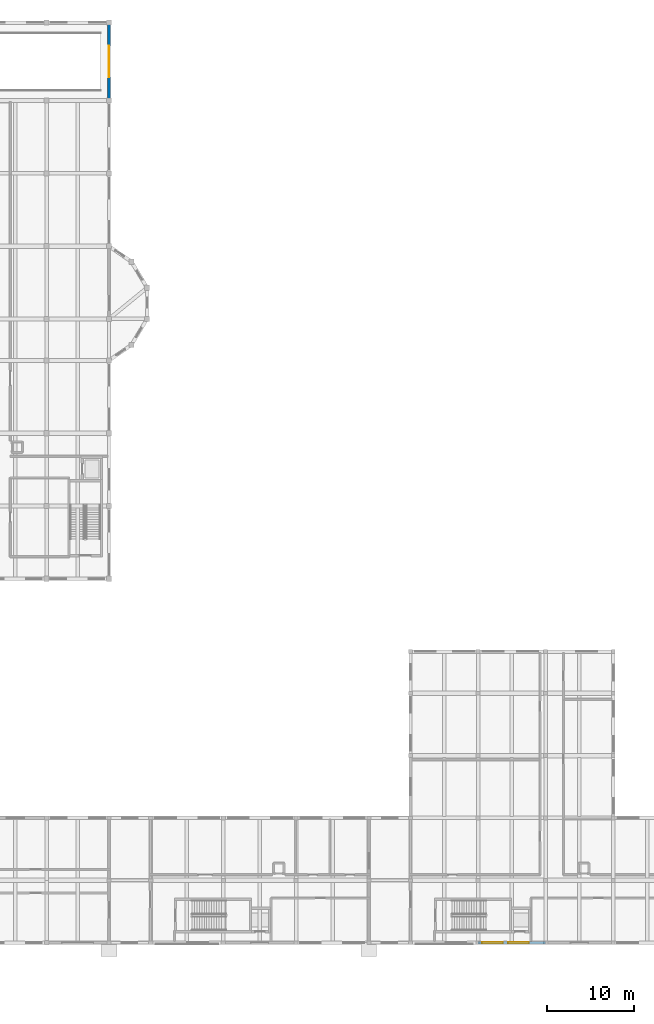
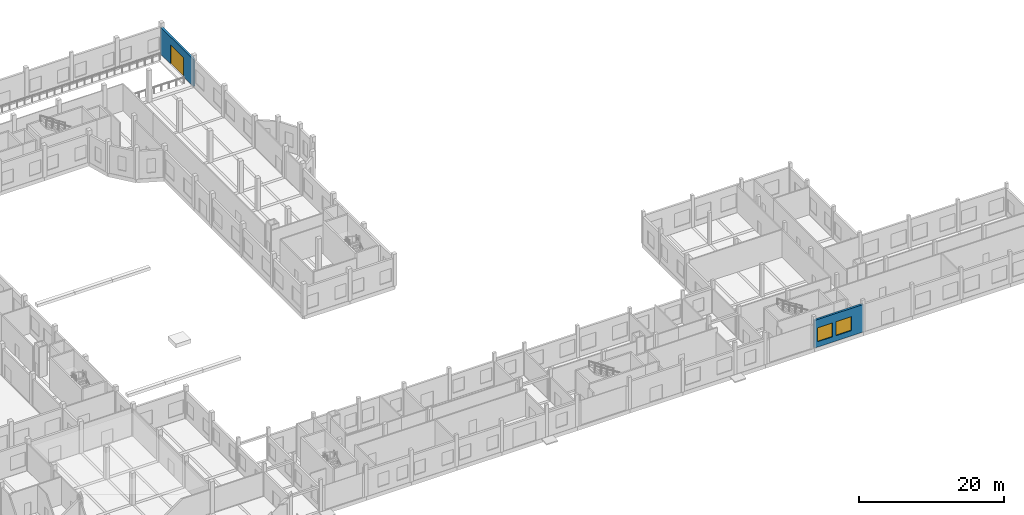
# One storey, part 26 of 41: 2 walls, 2 windows, 1 door, 3 openings.
"""IFC4 building model written with IfcOpenShell, lengths in metres."""

from ifc_helpers import new_model, si_unit, direction, frame, frame_2d, origin, place, context, subcontext, project, spatial, rectangle, extrude, material, layer, layer_set, type_object, element, fill, save


model = new_model("IFC4")

# Units and contexts
model_context = context("Model", 3, precision=1e-05, world=origin(), true_north=direction((0.0, 1.0)))
body_context = subcontext(model_context, "Body", "Model", "MODEL_VIEW")
ifc_project = project(units=[si_unit("LENGTHUNIT", "METRE"), si_unit("AREAUNIT", "SQUARE_METRE"), si_unit("VOLUMEUNIT", "CUBIC_METRE"), si_unit("PLANEANGLEUNIT", "RADIAN"), si_unit("MASSUNIT", "GRAM", prefix="KILO")], contexts=[model_context])

# Site, building, storey
site_placement = place(None, origin())
site = spatial("IfcSite", under=ifc_project, at=site_placement, CompositionType="ELEMENT")
building_placement = place(site_placement, origin())
building = spatial("IfcBuilding", under=site, at=building_placement, Name="Kahlenmark Community Centre", CompositionType="ELEMENT")
storey_placement = place(building_placement, origin())
storey = spatial("IfcBuildingStorey", under=building, at=storey_placement, Name="L00", CompositionType="ELEMENT", Elevation=0.0)

# Wall, opening, door
ifc_material_1 = material(Name="Danube limestone masonry", Category="masonry")
ifc_layer = layer(ifc_material_1, 0.320068359375)
ifc_layer_set = layer_set([ifc_layer], Name="Danube limestone masonry")
wall_type = type_object("IfcWallType", Name="WT-EW-320", PredefinedType="SOLIDWALL", material=ifc_layer_set)
wall_1_placement = place(storey_placement, frame((86.800048828125, 106.0, 0.0), z_axis=(0.0, 0.0, 1.0), x_axis=(0.0, 1.0, 0.0)))
wall_1 = element("IfcWall", 1, at=wall_1_placement, inside=storey, type_object=wall_type, Name="Exterior wall WL-EXT-L00-0201", PredefinedType="SOLIDWALL", context=body_context, shape_type="SweptSolid", body=[
    extrude(rectangle(XDim=9.0, YDim=0.320068359375, at=frame_2d((4.5, 0.0))), origin(), (0.0, 0.0, 1.0), 4.5400390625),
])
opening_1_placement = place(wall_1_placement, frame((2.699951171875, 0.0, -0.010009765625)))
opening_1 = element("IfcOpeningElement", 2, at=opening_1_placement, cuts=wall_1, Name="Opening D-VR01", PredefinedType="OPENING", context=body_context, shape_type="SweptSolid", body=[
    extrude(rectangle(XDim=3.60009765625, YDim=3.2099609375, at=frame_2d((1.800048828125, 1.60498046875))), frame((0.0, 0.169921875, 0.0), z_axis=(0.0, -1.0, 0.0), x_axis=(1.0, 0.0, 0.0)), (0.0, 0.0, 1.0), 0.340087890625),
])
ifc_material_2 = material(Name="Insulated motorised sectional shutter gate")
door_type = type_object("IfcDoorType", Name="DT-GATE-360X320", OperationType="NOTDEFINED", PredefinedType="GATE", material=ifc_material_2)
door_placement = place(opening_1_placement, frame((0.0, 0.0, 0.010009765625)))
door = element("IfcDoor", 3, at=door_placement, inside=storey, type_object=door_type, Name="Exterior door D-VR01", OperationType="ROLLINGUP", OverallHeight=3.199951171875, OverallWidth=3.60009765625, PredefinedType="GATE", context=body_context, shape_type="SweptSolid", body=[
    extrude(rectangle(XDim=3.60009765625, YDim=3.199951171875, at=frame_2d((1.800048828125, 1.60009765625))), frame((0.0, 0.02490234375, 0.0), z_axis=(0.0, -1.0, 0.0), x_axis=(1.0, 0.0, 0.0)), (0.0, 0.0, 1.0), 0.050048828125),
])
fill(opening_1, door)

# Wall, openings, windows
wall_2_placement = place(storey_placement, frame((129.39990234375, 8.800048828125, 0.0), z_axis=(0.0, 0.0, 1.0), x_axis=(1.0, 0.0, 0.0)))
wall_2 = element("IfcWall", 4, at=wall_2_placement, inside=storey, type_object=wall_type, Name="Exterior wall WL-EXT-L00-0220", PredefinedType="SOLIDWALL", context=body_context, shape_type="SweptSolid", body=[
    extrude(rectangle(XDim=7.800048828125, YDim=0.320068359375, at=frame_2d((3.89990234375, 0.0))), origin(), (0.0, 0.0, 1.0), 4.639892578125),
])
opening_2_placement = place(wall_2_placement, frame((0.4599609375, 0.0, 0.89990234375)))
opening_2 = element("IfcOpeningElement", 5, at=opening_2_placement, cuts=wall_2, Name="Opening W-240X235", PredefinedType="OPENING", context=body_context, shape_type="SweptSolid", body=[
    extrude(rectangle(XDim=2.39990234375, YDim=2.35009765625, at=frame_2d((1.199951171875, 1.175048828125))), frame((0.0, 0.169921875, 0.0), z_axis=(0.0, -1.0, 0.0), x_axis=(1.0, 0.0, 0.0)), (0.0, 0.0, 1.0), 0.340087890625),
])
opening_3_placement = place(wall_2_placement, frame((3.4599609375, 0.0, 0.89990234375)))
opening_3 = element("IfcOpeningElement", 6, at=opening_3_placement, cuts=wall_2, Name="Opening W-240X235", PredefinedType="OPENING", context=body_context, shape_type="SweptSolid", body=[
    extrude(rectangle(XDim=2.39990234375, YDim=2.35009765625, at=frame_2d((1.199951171875, 1.175048828125))), frame((0.0, 0.169921875, 0.0), z_axis=(0.0, -1.0, 0.0), x_axis=(1.0, 0.0, 0.0)), (0.0, 0.0, 1.0), 0.340087890625),
])
ifc_material_3 = material(Name="Triple low-e insulated glazing in timber-aluminium frame", Category="wood")
window_type = type_object("IfcWindowType", Name="WNT-240X235", PartitioningType="TRIPLE_PANEL_VERTICAL", PredefinedType="WINDOW", material=ifc_material_3)
window_1_placement = place(opening_2_placement, origin())
window_1 = element("IfcWindow", 7, at=window_1_placement, inside=storey, type_object=window_type, Name="Window W-240X235 #0128", OverallHeight=2.35009765625, OverallWidth=2.39990234375, PartitioningType="TRIPLE_PANEL_VERTICAL", PredefinedType="WINDOW", context=body_context, shape_type="SweptSolid", body=[
    extrude(rectangle(XDim=2.39990234375, YDim=2.35009765625, at=frame_2d((1.199951171875, 1.175048828125))), frame((0.0, 0.030029296875, 0.0), z_axis=(0.0, -1.0, 0.0), x_axis=(1.0, 0.0, 0.0)), (0.0, 0.0, 1.0), 0.06005859375),
])
fill(opening_2, window_1)
window_2_placement = place(opening_3_placement, origin())
window_2 = element("IfcWindow", 8, at=window_2_placement, inside=storey, type_object=window_type, Name="Window W-240X235 #0129", OverallHeight=2.35009765625, OverallWidth=2.39990234375, PartitioningType="TRIPLE_PANEL_VERTICAL", PredefinedType="WINDOW", context=body_context, shape_type="SweptSolid", body=[
    extrude(rectangle(XDim=2.39990234375, YDim=2.35009765625, at=frame_2d((1.199951171875, 1.175048828125))), frame((0.0, 0.030029296875, 0.0), z_axis=(0.0, -1.0, 0.0), x_axis=(1.0, 0.0, 0.0)), (0.0, 0.0, 1.0), 0.06005859375),
])
fill(opening_3, window_2)

save(model, "model.ifc")
